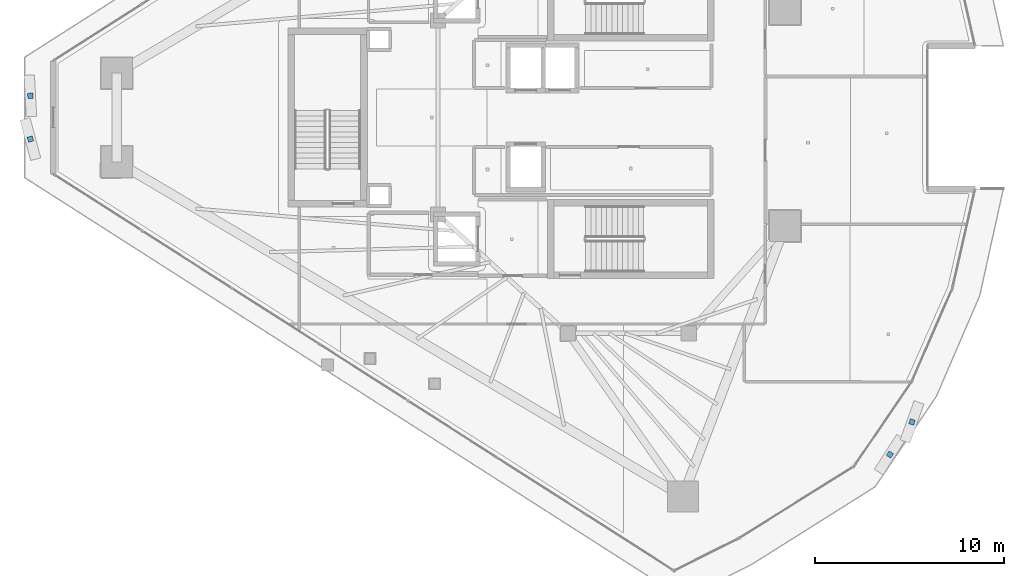
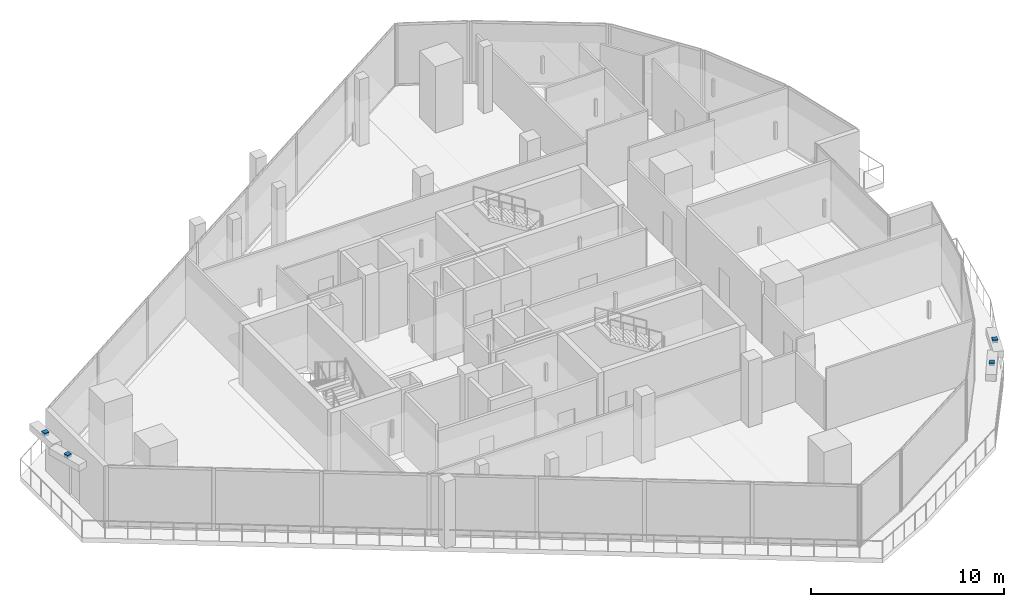
# One storey, part 28 of 34: 4 discrete accessories.
"""IFC4 building model written with IfcOpenShell, lengths in metres."""

import ifcopenshell
import ifcopenshell.guid

model = None  # the IFC model being written
_history = None  # IfcOwnerHistory: only IFC2X3 demands one
_inside = {}  # id of a spatial element -> (the spatial element, [elements in it])
_under = {}  # id of a project, library or spatial element -> (it, [spatial elements below it])
_declared = {}  # id of a project -> (the project, [libraries it declares])
_typed = {}  # id of a type object -> (the type object, [elements of that type])
_made_of = {}  # id of a material, layer set ... -> (it, [elements and type objects made of it])


def new_model(schema):
    """Start an empty IFC model of exactly this schema.

    Asked for "IFC4X3", IfcOpenShell would pick the latest addendum, in which some entities
    have other attributes; the version numbers below select the first issue.
    IFC2X3 requires an IfcOwnerHistory on every rooted entity: one is made here for all.
    """
    global model, _history
    if schema == "IFC4X3":
        model = ifcopenshell.file(schema_version=(4, 3, 0, 0))
    else:
        model = ifcopenshell.file(schema=schema)
    _inside.clear()
    _under.clear()
    _declared.clear()
    _typed.clear()
    _made_of.clear()
    _history = None
    if model.schema == "IFC2X3":
        org = make("IfcOrganization", Name="unknown")
        user = make(
            "IfcPersonAndOrganization",
            ThePerson=make("IfcPerson", FamilyName="unknown"),
            TheOrganization=org,
        )
        app = make(
            "IfcApplication",
            ApplicationDeveloper=org,
            Version="unknown",
            ApplicationFullName="unknown",
            ApplicationIdentifier="unknown",
        )
        _history = make(
            "IfcOwnerHistory",
            OwningUser=user,
            OwningApplication=app,
            ChangeAction="ADDED",
            CreationDate=0,
        )
    return model


def make(cls, **values):
    """One entity of the class cls with the attributes given. An attribute that is None is left unset."""
    return model.create_entity(
        cls, **{name: value for name, value in values.items() if value is not None}
    )


def rooted(cls, **values):
    """An entity with a GlobalId (a new one), such as an element, a storey or a relation."""
    return make(cls, GlobalId=ifcopenshell.guid.new(), OwnerHistory=_history, **values)


def si_unit(unit_type, name, prefix=None):
    """IfcSIUnit, for example si_unit("LENGTHUNIT", "METRE", prefix="MILLI")."""
    return make("IfcSIUnit", UnitType=unit_type, Prefix=prefix, Name=name)


def assignment(units):
    """IfcUnitAssignment: the units of a project."""
    return None if units is None else make("IfcUnitAssignment", Units=units)


def point(xyz):
    """IfcCartesianPoint."""
    return None if xyz is None else make("IfcCartesianPoint", Coordinates=xyz)


def direction(xyz):
    """IfcDirection."""
    return None if xyz is None else make("IfcDirection", DirectionRatios=xyz)


def frame(location, z_axis=None, x_axis=None):
    """IfcAxis2Placement3D, a coordinate frame: its origin and axes. An axis left out is left unset."""
    return make(
        "IfcAxis2Placement3D",
        Location=point(location),
        Axis=direction(z_axis),
        RefDirection=direction(x_axis),
    )


def frame_2d(location, x_axis=None):
    """IfcAxis2Placement2D, a coordinate frame in the plane: its origin and x axis."""
    return make(
        "IfcAxis2Placement2D", Location=point(location), RefDirection=direction(x_axis)
    )


def origin():
    """The frame at (0, 0, 0) with its axes left unset."""
    return frame((0.0, 0.0, 0.0))


def origin_2d():
    """The frame at (0, 0) in the plane with its x axis left unset."""
    return frame_2d((0.0, 0.0))


def place(relative_to, where):
    """IfcLocalPlacement: puts the frame where relative to a parent placement (None: the world)."""
    return make(
        "IfcLocalPlacement", PlacementRelTo=relative_to, RelativePlacement=where
    )


def context(
    kind, dimensions, precision=None, world=None, true_north=None, identifier=None
):
    """IfcGeometricRepresentationContext, for example the 3D "Model" context."""
    return make(
        "IfcGeometricRepresentationContext",
        ContextIdentifier=identifier,
        ContextType=kind,
        CoordinateSpaceDimension=dimensions,
        Precision=precision,
        WorldCoordinateSystem=world,
        TrueNorth=true_north,
    )


def subcontext(parent, identifier, kind, view, scale=None):
    """IfcGeometricRepresentationSubContext, for example "Body" below "Model"."""
    return make(
        "IfcGeometricRepresentationSubContext",
        ContextIdentifier=identifier,
        ContextType=kind,
        ParentContext=parent,
        TargetScale=scale,
        TargetView=view,
    )


def project(units=None, contexts=None):
    """IfcProject with its units and contexts."""
    return rooted(
        "IfcProject",
        Name="project",
        RepresentationContexts=contexts,
        UnitsInContext=assignment(units),
    )


def spatial(cls, under=None, at=None, **own):
    """A site, building, storey or space (cls), placed at a placement, below another one or the project."""
    s = rooted(cls, ObjectPlacement=at, **own)
    if under is not None:
        _under.setdefault(under.id(), (under, []))[1].append(s)
    return s


def profile(cls, at=None, kind="AREA", **sizes):
    """A parametric profile (cls). Its sizes go by their IFC names, for example OverallWidth=200.0."""
    return make(cls, ProfileType=kind, Position=at, **sizes)


def rectangle(**sizes):
    """IfcRectangleProfileDef."""
    return profile("IfcRectangleProfileDef", **sizes)


def extrude(swept, where, along, depth):
    """IfcExtrudedAreaSolid: the profile swept, set in the frame where, extruded along a direction by depth."""
    return make(
        "IfcExtrudedAreaSolid",
        SweptArea=swept,
        Position=where,
        ExtrudedDirection=direction(along),
        Depth=depth,
    )


def shape(context_of_items, identifier, shape_type, items):
    """IfcShapeRepresentation: the items that make up one representation, for example the "Body"."""
    return make(
        "IfcShapeRepresentation",
        ContextOfItems=context_of_items,
        RepresentationIdentifier=identifier,
        RepresentationType=shape_type,
        Items=items,
    )


def material(Name=None, Category=None):
    """IfcMaterial."""
    return make("IfcMaterial", Name=Name, Category=Category)


def made_of(thing, what):
    """Note that an element or type object is made of a material, layer set ...; save() writes the relation."""
    if what is not None:
        _made_of.setdefault(what.id(), (what, []))[1].append(thing)
    return thing


def type_object(cls, material=None, **own):
    """A type object (cls), such as IfcWallType, which elements share."""
    return made_of(rooted(cls, **own), material)


def element(
    cls,
    number,
    at=None,
    inside=None,
    cuts=None,
    type_object=None,
    material=None,
    context=None,
    identifier="Body",
    shape_type=None,
    held_by="IfcProductDefinitionShape",
    body=None,
    shapes=None,
    **own,
):
    """One element of the class cls, such as IfcWall. Its Tag is "e" and its number.

    at: its placement. inside: the storey or other place that contains it. cuts: it is an
    opening in that element (IfcRelVoidsElement). A single representation is given by context,
    identifier, shape_type and body (its items); several are given by shapes. held_by: the class
    of the entity that holds the representations. save() writes the other relations.
    """
    e = rooted(cls, Tag="e%d" % number, ObjectPlacement=at, **own)
    if body is not None:
        shapes = [shape(context, identifier, shape_type, body)]
    if shapes is not None:
        e.Representation = make(held_by, Representations=shapes)
    if inside is not None:
        _inside.setdefault(inside.id(), (inside, []))[1].append(e)
    if cuts is not None:
        rooted(
            "IfcRelVoidsElement", RelatingBuildingElement=cuts, RelatedOpeningElement=e
        )
    if type_object is not None:
        _typed.setdefault(type_object.id(), (type_object, []))[1].append(e)
    return made_of(e, material)


def aggregate(whole, parts):
    """IfcRelAggregates: a whole, such as a stair, and the parts it consists of."""
    return rooted("IfcRelAggregates", RelatingObject=whole, RelatedObjects=parts)


def save(model, path):
    """Write the relations noted so far, then the file.

    IfcRelAggregates (storeys below a building ...), IfcRelContainedInSpatialStructure (elements
    in a storey), IfcRelDefinesByType, IfcRelAssociatesMaterial and IfcRelDeclares: one each for
    every whole, place, type object, material and project.
    """
    for whole, parts in _under.values():
        aggregate(whole, parts)
    for where, things in _inside.values():
        rooted(
            "IfcRelContainedInSpatialStructure",
            RelatedElements=things,
            RelatingStructure=where,
        )
    for kind, things in _typed.values():
        rooted("IfcRelDefinesByType", RelatedObjects=things, RelatingType=kind)
    for what, things in _made_of.values():
        rooted("IfcRelAssociatesMaterial", RelatedObjects=things, RelatingMaterial=what)
    for by, libraries in _declared.values():
        rooted("IfcRelDeclares", RelatingContext=by, RelatedDefinitions=libraries)
    model.write(path)


model = new_model("IFC4")

# Units and contexts
model_context = context("Model", 3, precision=1e-05, world=origin(), true_north=direction((0.0, 1.0)))
body_context = subcontext(model_context, "Body", "Model", "MODEL_VIEW")
ifc_project = project(units=[si_unit("LENGTHUNIT", "METRE"), si_unit("AREAUNIT", "SQUARE_METRE"), si_unit("VOLUMEUNIT", "CUBIC_METRE"), si_unit("PLANEANGLEUNIT", "RADIAN"), si_unit("MASSUNIT", "GRAM", prefix="KILO")], contexts=[model_context])

# Site, building, storey
site_placement = place(None, origin())
site = spatial("IfcSite", under=ifc_project, at=site_placement, CompositionType="ELEMENT")
building_placement = place(site_placement, origin())
building = spatial("IfcBuilding", under=site, at=building_placement, Name="Qorvath Tower", CompositionType="ELEMENT")
storey_placement = place(building_placement, frame((0.0, 0.0, 268.199951171875)))
storey = spatial("IfcBuildingStorey", under=building, at=storey_placement, Name="L62", CompositionType="ELEMENT", Elevation=268.199951171875)

# Discrete accessories
ifc_material = material(Name="Galvanised steel bracket", Category="steel")
discrete_accessory_type = type_object("IfcDiscreteAccessoryType", Name="DA-BRACKET", PredefinedType="BRACKET", material=ifc_material)
for number, where, z_axis, x_axis, name in (
    (1, (-52.121337890625, 1.14892578125, 3.77001953125), (0.0, 0.0, 1.0), (0.052829201106, -0.998603562737, 0.0), "Louvre Wave Support Bracket L62-01"),
    (2, (-52.121337890625, -1.14892578125, 3.77001953125), (0.0, 0.0, 1.0), (0.258041780595, -0.96613375858, 0.0), "Louvre Wave Support Bracket L62-02"),
    (3, (-6.53173828125, -17.87890625, 3.77001953125), (0.0, 0.0, 1.0), (0.539073643681, 0.842258634084, 0.0), "Louvre Wave Support Bracket L62-03"),
    (4, (-5.359619140625, -16.148681640625, 3.77001953125), (0.0, 0.0, 1.0), (0.338365126362, 0.941014899596, 0.0), "Louvre Wave Support Bracket L62-04"),
):
    element("IfcDiscreteAccessory", number, at=place(storey_placement, frame(where, z_axis=z_axis, x_axis=x_axis)), inside=storey, type_object=discrete_accessory_type, Name=name, PredefinedType="NOTDEFINED", context=body_context, shape_type="SweptSolid", body=[
        extrude(rectangle(XDim=0.280029296875, YDim=0.280029296875, at=origin_2d()), origin(), (0.0, 0.0, 1.0), 0.199951171875),
    ])

save(model, "model.ifc")
